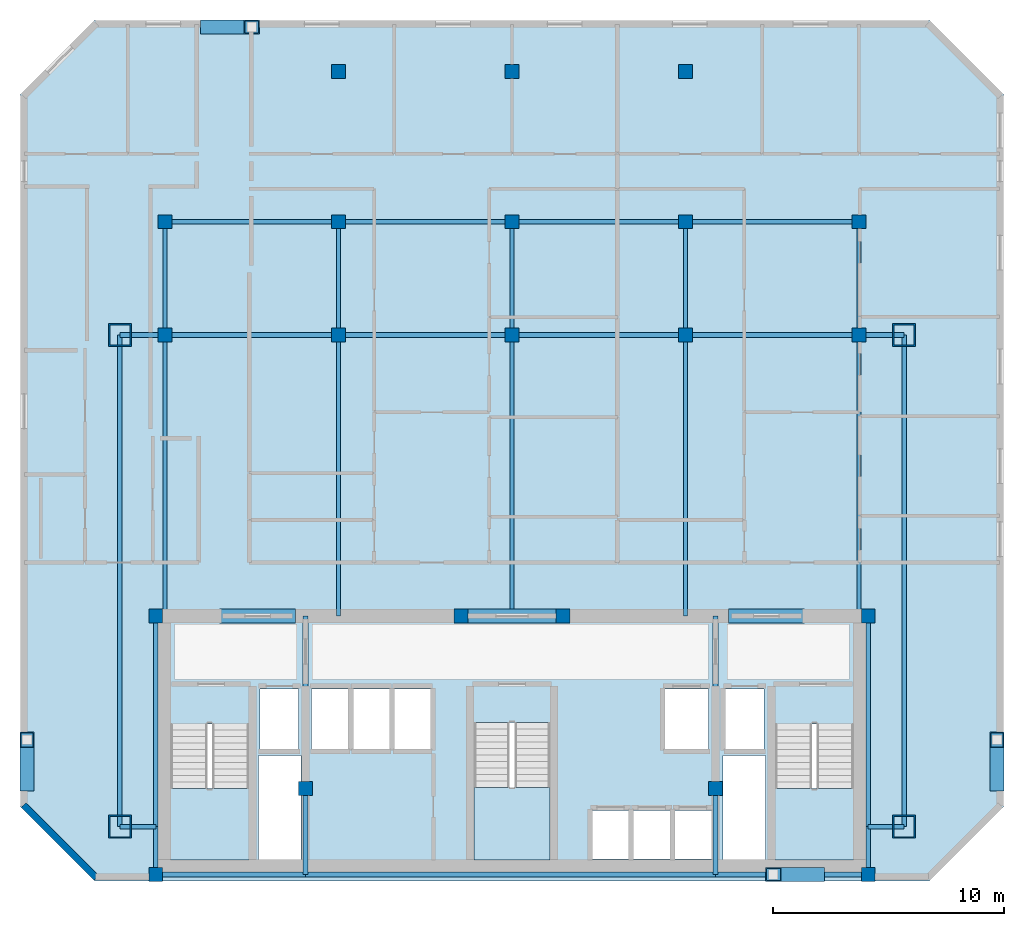
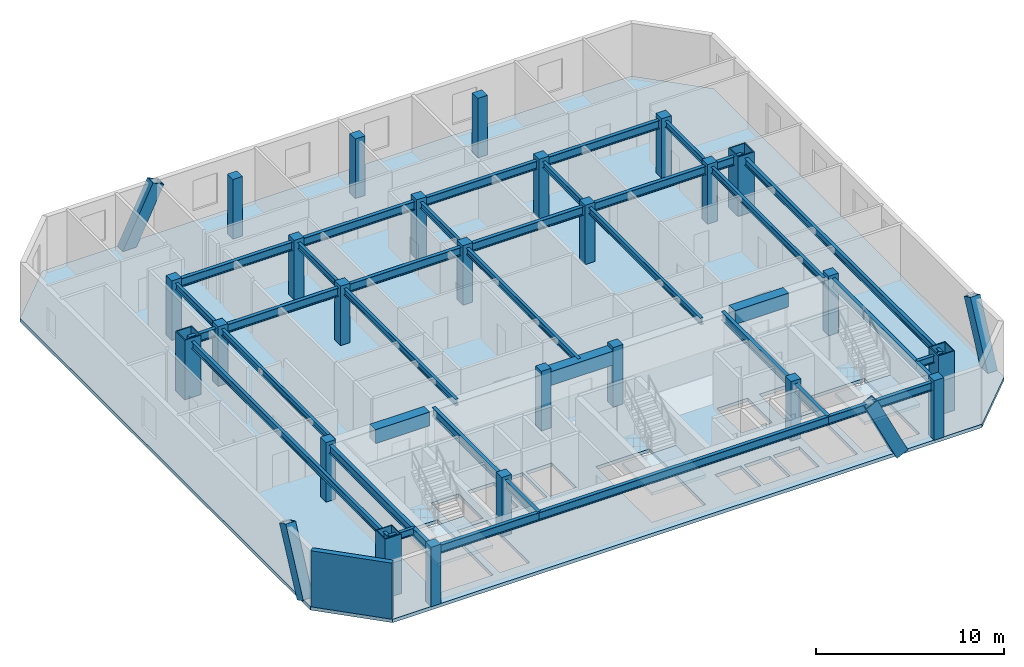
# One storey, part 1 of 7: 38 beams, 25 columns, 4 members, 4 slabs, 1 wall, 3 elements without a shape of their own.
"""IFC4 building model written with IfcOpenShell, lengths in metres."""

from ifc_helpers import new_model, si_unit, direction, frame, frame_2d, origin, origin_2d, place, context, subcontext, project, spatial, polyline, rectangle, hollow_rectangle, i_section, outline, extrude, material, layer, layer_set, material_profile, profile_set, type_object, element, aggregate, save


model = new_model("IFC4")

# Units and contexts
model_context = context("Model", 3, precision=1e-05, world=origin(), true_north=direction((0.0, 1.0)))
body_context = subcontext(model_context, "Body", "Model", "MODEL_VIEW")
ifc_project = project(units=[si_unit("LENGTHUNIT", "METRE"), si_unit("AREAUNIT", "SQUARE_METRE"), si_unit("VOLUMEUNIT", "CUBIC_METRE"), si_unit("PLANEANGLEUNIT", "RADIAN"), si_unit("MASSUNIT", "GRAM", prefix="KILO")], contexts=[model_context])

# Site, building, storey
site_placement = place(None, origin())
site = spatial("IfcSite", under=ifc_project, at=site_placement, CompositionType="ELEMENT")
building_placement = place(site_placement, origin())
building = spatial("IfcBuilding", under=site, at=building_placement, Name="Ventersveld Concourse Tower", CompositionType="ELEMENT")
storey_placement = place(building_placement, frame((0.0, 0.0, 223.39990234375)))
storey = spatial("IfcBuildingStorey", under=building, at=storey_placement, Name="L55", CompositionType="ELEMENT", Elevation=223.39990234375)

# Columns
ifc_material_1 = material(Name="Concrete C50/60", Category="concrete")
ifc_material_profile_1 = material_profile(ifc_material_1, rectangle(XDim=0.60009765625, YDim=0.60009765625, at=origin_2d()), Name="RC 600x600")
ifc_profile_set_1 = profile_set([ifc_material_profile_1], Name="Concrete C50/60")
column_type_1 = type_object("IfcColumnType", Name="COL-RC600", PredefinedType="COLUMN", material=ifc_profile_set_1)
for number, where, z_axis, x_axis, name in (
    (1, (13.35009765625, 0.280029296875, 0.0), (0.0, 0.0, 1.0), (1.0, 0.0, 0.0), "L55 Core Spine Column CC-SW"),
    (2, (44.14990234375, 0.280029296875, 0.0), (0.0, 0.0, 1.0), (1.0, 0.0, 0.0), "L55 Core Spine Column CC-SE"),
    (3, (13.35009765625, 11.449951171875, 0.0), (0.0, 0.0, 1.0), (1.0, 0.0, 0.0), "L55 Core Spine Column CC-NW"),
    (4, (44.14990234375, 11.449951171875, 0.0), (0.0, 0.0, 1.0), (1.0, 0.0, 0.0), "L55 Core Spine Column CC-NE"),
    (5, (19.820068359375, 4.0, 0.0), (0.0, 0.0, 1.0), (1.0, 0.0, 0.0), "L55 Core Spine Column CM-1"),
    (6, (37.550048828125, 4.0, 0.0), (0.0, 0.0, 1.0), (1.0, 0.0, 0.0), "L55 Core Spine Column CM-2"),
    (7, (26.550048828125, 11.449951171875, 0.0), (0.0, 0.0, 1.0), (1.0, 0.0, 0.0), "L55 Core Spine Column CM-3"),
    (8, (30.949951171875, 11.449951171875, 0.0), (0.0, 0.0, 1.0), (1.0, 0.0, 0.0), "L55 Core Spine Column CM-4"),
    (9, (13.75, 23.60009765625, 0.0), (0.0, 0.0, 1.0), (1.0, 0.0, 0.0), "L55 Interior Gravity Column X=13.75 Y=23.60"),
    (10, (21.25, 23.60009765625, 0.0), (0.0, 0.0, 1.0), (1.0, 0.0, 0.0), "L55 Interior Gravity Column X=21.25 Y=23.60"),
    (11, (28.75, 23.60009765625, 0.0), (0.0, 0.0, 1.0), (1.0, 0.0, 0.0), "L55 Interior Gravity Column X=28.75 Y=23.60"),
    (12, (36.25, 23.60009765625, 0.0), (0.0, 0.0, 1.0), (1.0, 0.0, 0.0), "L55 Interior Gravity Column X=36.25 Y=23.60"),
    (13, (43.75, 23.60009765625, 0.0), (0.0, 0.0, 1.0), (1.0, 0.0, 0.0), "L55 Interior Gravity Column X=43.75 Y=23.60"),
    (14, (13.75, 28.5, 0.0), (0.0, 0.0, 1.0), (1.0, 0.0, 0.0), "L55 Upper-North Gravity Column X=13.75 Y=28.50"),
    (15, (21.25, 28.5, 0.0), (0.0, 0.0, 1.0), (1.0, 0.0, 0.0), "L55 Upper-North Gravity Column X=21.25 Y=28.50"),
    (16, (28.75, 28.5, 0.0), (0.0, 0.0, 1.0), (1.0, 0.0, 0.0), "L55 Upper-North Gravity Column X=28.75 Y=28.50"),
    (17, (36.25, 28.5, 0.0), (0.0, 0.0, 1.0), (1.0, 0.0, 0.0), "L55 Upper-North Gravity Column X=36.25 Y=28.50"),
    (18, (43.75, 28.5, 0.0), (0.0, 0.0, 1.0), (1.0, 0.0, 0.0), "L55 Upper-North Gravity Column X=43.75 Y=28.50"),
    (19, (21.25, 35.0, 0.0), (0.0, 0.0, 1.0), (1.0, 0.0, 0.0), "L55 Mid-North Column X=21.25 Y=35.00"),
    (20, (28.75, 35.0, 0.0), (0.0, 0.0, 1.0), (1.0, 0.0, 0.0), "L55 Mid-North Column X=28.75 Y=35.00"),
    (21, (36.25, 35.0, 0.0), (0.0, 0.0, 1.0), (1.0, 0.0, 0.0), "L55 Mid-North Column X=36.25 Y=35.00"),
):
    element("IfcColumn", number, at=place(storey_placement, frame(where, z_axis=z_axis, x_axis=x_axis)), inside=storey, type_object=column_type_1, Name=name, PredefinedType="COLUMN", context=body_context, shape_type="SweptSolid", body=[
        extrude(rectangle(XDim=0.60009765625, YDim=0.60009765625, at=origin_2d()), origin(), (0.0, 0.0, 1.0), 3.85009765625),
    ])
ifc_material_2 = material(Name="Structural steel S460ML", Category="steel")
ifc_material_profile_2 = material_profile(ifc_material_2, hollow_rectangle(XDim=1.0, YDim=1.0, WallThickness=0.06005859375, at=origin_2d()), Name="BOX 1000x1000x60")
ifc_profile_set_2 = profile_set([ifc_material_profile_2], Name="Structural steel S460ML")
column_type_2 = type_object("IfcColumnType", Name="MC-1000", PredefinedType="USERDEFINED", material=ifc_profile_set_2)
for number, where, z_axis, x_axis, name in (
    (22, (11.800048828125, 2.35009765625, 0.0), (0.0, 0.0, 1.0), (1.0, 0.0, 0.0), "L55 Corner Mega-Column MC-SW"),
    (23, (45.699951171875, 2.35009765625, 0.0), (0.0, 0.0, 1.0), (1.0, 0.0, 0.0), "L55 Corner Mega-Column MC-SE"),
    (24, (45.699951171875, 23.60009765625, 0.0), (0.0, 0.0, 1.0), (1.0, 0.0, 0.0), "L55 Corner Mega-Column MC-NE"),
    (25, (11.800048828125, 23.60009765625, 0.0), (0.0, 0.0, 1.0), (1.0, 0.0, 0.0), "L55 Corner Mega-Column MC-NW"),
):
    element("IfcColumn", number, at=place(storey_placement, frame(where, z_axis=z_axis, x_axis=x_axis)), inside=storey, type_object=column_type_2, Name=name, ObjectType="MEGA_COLUMN", PredefinedType="USERDEFINED", context=body_context, shape_type="SweptSolid", body=[
        extrude(hollow_rectangle(XDim=1.0, YDim=1.0, WallThickness=0.06005859375, at=origin_2d()), origin(), (0.0, 0.0, 1.0), 3.85009765625),
    ])

# Beams
ifc_material_3 = material(Name="Structural steel S355J2", Category="steel")
ifc_material_profile_3 = material_profile(ifc_material_3, i_section(OverallWidth=0.177978515625, OverallDepth=0.406494140625, WebThickness=0.0078125, FlangeThickness=0.0126953125, FilletRadius=0.01025390625, at=origin_2d()), Name="UB 406x178x60")
ifc_profile_set_3 = profile_set([ifc_material_profile_3], Name="Structural steel S355J2")
beam_type_1 = type_object("IfcBeamType", Name="BM-UB406", PredefinedType="BEAM", material=ifc_profile_set_3)
beam_1_placement = place(storey_placement, frame((13.75, 11.449951171875, 3.427001953125), z_axis=(0.0, 1.0, 0.0), x_axis=(-1.0, 0.0, 0.0)))
element("IfcBeam", 26, at=beam_1_placement, inside=storey, type_object=beam_type_1, Name="L55 N-S Composite Floor Beam South X=13.75", PredefinedType="BEAM", context=body_context, shape_type="SweptSolid", body=[
    extrude(i_section(OverallWidth=0.177978515625, OverallDepth=0.406494140625, WebThickness=0.0078125, FlangeThickness=0.0126953125, FilletRadius=0.01025390625, at=origin_2d()), origin(), (0.0, 0.0, 1.0), 12.150146484375),
])
beam_2_placement = place(storey_placement, frame((13.75, 23.60009765625, 3.427001953125), z_axis=(0.0, 1.0, 0.0), x_axis=(-1.0, 0.0, 0.0)))
element("IfcBeam", 27, at=beam_2_placement, inside=storey, type_object=beam_type_1, Name="L55 N-S Upper-Zone Floor Beam X=13.75", PredefinedType="BEAM", context=body_context, shape_type="SweptSolid", body=[
    extrude(i_section(OverallWidth=0.177978515625, OverallDepth=0.406494140625, WebThickness=0.0078125, FlangeThickness=0.0126953125, FilletRadius=0.01025390625, at=origin_2d()), origin(), (0.0, 0.0, 1.0), 4.89990234375),
])
beam_3_placement = place(storey_placement, frame((21.25, 11.449951171875, 3.427001953125), z_axis=(0.0, 1.0, 0.0), x_axis=(-1.0, 0.0, 0.0)))
element("IfcBeam", 28, at=beam_3_placement, inside=storey, type_object=beam_type_1, Name="L55 N-S Composite Floor Beam South X=21.25", PredefinedType="BEAM", context=body_context, shape_type="SweptSolid", body=[
    extrude(i_section(OverallWidth=0.177978515625, OverallDepth=0.406494140625, WebThickness=0.0078125, FlangeThickness=0.0126953125, FilletRadius=0.01025390625, at=origin_2d()), origin(), (0.0, 0.0, 1.0), 12.150146484375),
])
beam_4_placement = place(storey_placement, frame((21.25, 23.60009765625, 3.427001953125), z_axis=(0.0, 1.0, 0.0), x_axis=(-1.0, 0.0, 0.0)))
element("IfcBeam", 29, at=beam_4_placement, inside=storey, type_object=beam_type_1, Name="L55 N-S Upper-Zone Floor Beam X=21.25", PredefinedType="BEAM", context=body_context, shape_type="SweptSolid", body=[
    extrude(i_section(OverallWidth=0.177978515625, OverallDepth=0.406494140625, WebThickness=0.0078125, FlangeThickness=0.0126953125, FilletRadius=0.01025390625, at=origin_2d()), origin(), (0.0, 0.0, 1.0), 4.89990234375),
])
beam_5_placement = place(storey_placement, frame((28.75, 11.449951171875, 3.427001953125), z_axis=(0.0, 1.0, 0.0), x_axis=(-1.0, 0.0, 0.0)))
element("IfcBeam", 30, at=beam_5_placement, inside=storey, type_object=beam_type_1, Name="L55 N-S Composite Floor Beam South X=28.75", PredefinedType="BEAM", context=body_context, shape_type="SweptSolid", body=[
    extrude(i_section(OverallWidth=0.177978515625, OverallDepth=0.406494140625, WebThickness=0.0078125, FlangeThickness=0.0126953125, FilletRadius=0.01025390625, at=origin_2d()), origin(), (0.0, 0.0, 1.0), 12.150146484375),
])
beam_6_placement = place(storey_placement, frame((28.75, 23.60009765625, 3.427001953125), z_axis=(0.0, 1.0, 0.0), x_axis=(-1.0, 0.0, 0.0)))
element("IfcBeam", 31, at=beam_6_placement, inside=storey, type_object=beam_type_1, Name="L55 N-S Upper-Zone Floor Beam X=28.75", PredefinedType="BEAM", context=body_context, shape_type="SweptSolid", body=[
    extrude(i_section(OverallWidth=0.177978515625, OverallDepth=0.406494140625, WebThickness=0.0078125, FlangeThickness=0.0126953125, FilletRadius=0.01025390625, at=origin_2d()), origin(), (0.0, 0.0, 1.0), 4.89990234375),
])
beam_7_placement = place(storey_placement, frame((36.25, 11.449951171875, 3.427001953125), z_axis=(0.0, 1.0, 0.0), x_axis=(-1.0, 0.0, 0.0)))
element("IfcBeam", 32, at=beam_7_placement, inside=storey, type_object=beam_type_1, Name="L55 N-S Composite Floor Beam South X=36.25", PredefinedType="BEAM", context=body_context, shape_type="SweptSolid", body=[
    extrude(i_section(OverallWidth=0.177978515625, OverallDepth=0.406494140625, WebThickness=0.0078125, FlangeThickness=0.0126953125, FilletRadius=0.01025390625, at=origin_2d()), origin(), (0.0, 0.0, 1.0), 12.150146484375),
])
beam_8_placement = place(storey_placement, frame((36.25, 23.60009765625, 3.427001953125), z_axis=(0.0, 1.0, 0.0), x_axis=(-1.0, 0.0, 0.0)))
element("IfcBeam", 33, at=beam_8_placement, inside=storey, type_object=beam_type_1, Name="L55 N-S Upper-Zone Floor Beam X=36.25", PredefinedType="BEAM", context=body_context, shape_type="SweptSolid", body=[
    extrude(i_section(OverallWidth=0.177978515625, OverallDepth=0.406494140625, WebThickness=0.0078125, FlangeThickness=0.0126953125, FilletRadius=0.01025390625, at=origin_2d()), origin(), (0.0, 0.0, 1.0), 4.89990234375),
])
beam_9_placement = place(storey_placement, frame((43.75, 11.449951171875, 3.427001953125), z_axis=(0.0, 1.0, 0.0), x_axis=(-1.0, 0.0, 0.0)))
element("IfcBeam", 34, at=beam_9_placement, inside=storey, type_object=beam_type_1, Name="L55 N-S Composite Floor Beam South X=43.75", PredefinedType="BEAM", context=body_context, shape_type="SweptSolid", body=[
    extrude(i_section(OverallWidth=0.177978515625, OverallDepth=0.406494140625, WebThickness=0.0078125, FlangeThickness=0.0126953125, FilletRadius=0.01025390625, at=origin_2d()), origin(), (0.0, 0.0, 1.0), 12.150146484375),
])
beam_10_placement = place(storey_placement, frame((43.75, 23.60009765625, 3.427001953125), z_axis=(0.0, 1.0, 0.0), x_axis=(-1.0, 0.0, 0.0)))
element("IfcBeam", 35, at=beam_10_placement, inside=storey, type_object=beam_type_1, Name="L55 N-S Upper-Zone Floor Beam X=43.75", PredefinedType="BEAM", context=body_context, shape_type="SweptSolid", body=[
    extrude(i_section(OverallWidth=0.177978515625, OverallDepth=0.406494140625, WebThickness=0.0078125, FlangeThickness=0.0126953125, FilletRadius=0.01025390625, at=origin_2d()), origin(), (0.0, 0.0, 1.0), 4.89990234375),
])
ifc_material_profile_4 = material_profile(ifc_material_1, rectangle(XDim=0.60009765625, YDim=0.89990234375, at=origin_2d()), Name="RC 600x900")
ifc_profile_set_4 = profile_set([ifc_material_profile_4], Name="Concrete C50/60")
beam_type_2 = type_object("IfcBeamType", Name="CB-RC600x900U", PredefinedType="LINTEL", material=ifc_profile_set_4)
beam_11_placement = place(storey_placement, frame((16.10009765625, 11.449951171875, 3.18017578125), z_axis=(1.0, 0.0, 0.0), x_axis=(0.0, 1.0, 0.0)))
element("IfcBeam", 36, at=beam_11_placement, inside=storey, type_object=beam_type_2, Name="L55 Core Coupling Lintel Beam 1", PredefinedType="LINTEL", context=body_context, shape_type="SweptSolid", body=[
    extrude(rectangle(XDim=0.60009765625, YDim=0.89990234375, at=origin_2d()), origin(), (0.0, 0.0, 1.0), 3.2998046875),
])
beam_12_placement = place(storey_placement, frame((26.5, 11.449951171875, 3.18017578125), z_axis=(1.0, 0.0, 0.0), x_axis=(0.0, 1.0, 0.0)))
element("IfcBeam", 37, at=beam_12_placement, inside=storey, type_object=beam_type_2, Name="L55 Core Coupling Lintel Beam 2", PredefinedType="LINTEL", context=body_context, shape_type="SweptSolid", body=[
    extrude(rectangle(XDim=0.60009765625, YDim=0.89990234375, at=origin_2d()), origin(), (0.0, 0.0, 1.0), 4.5),
])
beam_13_placement = place(storey_placement, frame((38.10009765625, 11.449951171875, 3.18017578125), z_axis=(1.0, 0.0, 0.0), x_axis=(0.0, 1.0, 0.0)))
element("IfcBeam", 38, at=beam_13_placement, inside=storey, type_object=beam_type_2, Name="L55 Core Coupling Lintel Beam 3", PredefinedType="LINTEL", context=body_context, shape_type="SweptSolid", body=[
    extrude(rectangle(XDim=0.60009765625, YDim=0.89990234375, at=origin_2d()), origin(), (0.0, 0.0, 1.0), 3.2998046875),
])
ifc_material_profile_5 = material_profile(ifc_material_3, i_section(OverallWidth=0.2119140625, OverallDepth=0.54443359375, WebThickness=0.0126953125, FlangeThickness=0.021240234375, FilletRadius=0.0126953125, at=origin_2d()), Name="UB 533x210x122")
ifc_profile_set_5 = profile_set([ifc_material_profile_5], Name="Structural steel S355J2")
beam_type_3 = type_object("IfcBeamType", Name="GRD-UB533H", PredefinedType="T_BEAM", material=ifc_profile_set_5)
beam_14_placement = place(storey_placement, frame((13.35009765625, 0.280029296875, 3.35791015625), z_axis=(0.0, 1.0, 0.0), x_axis=(-1.0, 0.0, 0.0)))
element("IfcBeam", 39, at=beam_14_placement, inside=storey, type_object=beam_type_3, Name="L55 Core West Tie Beam S", PredefinedType="T_BEAM", context=body_context, shape_type="SweptSolid", body=[
    extrude(i_section(OverallWidth=0.2119140625, OverallDepth=0.54443359375, WebThickness=0.0126953125, FlangeThickness=0.021240234375, FilletRadius=0.0126953125, at=origin_2d()), origin(), (0.0, 0.0, 1.0), 2.070068359375),
])
beam_15_placement = place(storey_placement, frame((13.35009765625, 2.35009765625, 3.35791015625), z_axis=(0.0, 1.0, 0.0), x_axis=(-1.0, 0.0, 0.0)))
element("IfcBeam", 40, at=beam_15_placement, inside=storey, type_object=beam_type_3, Name="L55 Core West Tie Beam N", PredefinedType="T_BEAM", context=body_context, shape_type="SweptSolid", body=[
    extrude(i_section(OverallWidth=0.2119140625, OverallDepth=0.54443359375, WebThickness=0.0126953125, FlangeThickness=0.021240234375, FilletRadius=0.0126953125, at=origin_2d()), origin(), (0.0, 0.0, 1.0), 9.099853515625),
])
beam_16_placement = place(storey_placement, frame((44.14990234375, 0.280029296875, 3.35791015625), z_axis=(0.0, 1.0, 0.0), x_axis=(-1.0, 0.0, 0.0)))
element("IfcBeam", 41, at=beam_16_placement, inside=storey, type_object=beam_type_3, Name="L55 Core East Tie Beam S", PredefinedType="T_BEAM", context=body_context, shape_type="SweptSolid", body=[
    extrude(i_section(OverallWidth=0.2119140625, OverallDepth=0.54443359375, WebThickness=0.0126953125, FlangeThickness=0.021240234375, FilletRadius=0.0126953125, at=origin_2d()), origin(), (0.0, 0.0, 1.0), 2.070068359375),
])
beam_17_placement = place(storey_placement, frame((44.14990234375, 2.35009765625, 3.35791015625), z_axis=(0.0, 1.0, 0.0), x_axis=(-1.0, 0.0, 0.0)))
element("IfcBeam", 42, at=beam_17_placement, inside=storey, type_object=beam_type_3, Name="L55 Core East Tie Beam N", PredefinedType="T_BEAM", context=body_context, shape_type="SweptSolid", body=[
    extrude(i_section(OverallWidth=0.2119140625, OverallDepth=0.54443359375, WebThickness=0.0126953125, FlangeThickness=0.021240234375, FilletRadius=0.0126953125, at=origin_2d()), origin(), (0.0, 0.0, 1.0), 9.099853515625),
])
beam_18_placement = place(storey_placement, frame((13.35009765625, 0.280029296875, 3.35791015625), z_axis=(1.0, 0.0, 0.0), x_axis=(0.0, 1.0, 0.0)))
element("IfcBeam", 43, at=beam_18_placement, inside=storey, type_object=beam_type_3, Name="L55 Core South Tie Beam W", PredefinedType="T_BEAM", context=body_context, shape_type="SweptSolid", body=[
    extrude(i_section(OverallWidth=0.2119140625, OverallDepth=0.54443359375, WebThickness=0.0126953125, FlangeThickness=0.021240234375, FilletRadius=0.0126953125, at=origin_2d()), origin(), (0.0, 0.0, 1.0), 6.469970703125),
])
beam_19_placement = place(storey_placement, frame((19.820068359375, 0.280029296875, 3.35791015625), z_axis=(1.0, 0.0, 0.0), x_axis=(0.0, 1.0, 0.0)))
element("IfcBeam", 44, at=beam_19_placement, inside=storey, type_object=beam_type_3, Name="L55 Core South Tie Beam C", PredefinedType="T_BEAM", context=body_context, shape_type="SweptSolid", body=[
    extrude(i_section(OverallWidth=0.2119140625, OverallDepth=0.54443359375, WebThickness=0.0126953125, FlangeThickness=0.021240234375, FilletRadius=0.0126953125, at=origin_2d()), origin(), (0.0, 0.0, 1.0), 17.72998046875),
])
beam_20_placement = place(storey_placement, frame((37.550048828125, 0.280029296875, 3.35791015625), z_axis=(1.0, 0.0, 0.0), x_axis=(0.0, 1.0, 0.0)))
element("IfcBeam", 45, at=beam_20_placement, inside=storey, type_object=beam_type_3, Name="L55 Core South Tie Beam E", PredefinedType="T_BEAM", context=body_context, shape_type="SweptSolid", body=[
    extrude(i_section(OverallWidth=0.2119140625, OverallDepth=0.54443359375, WebThickness=0.0126953125, FlangeThickness=0.021240234375, FilletRadius=0.0126953125, at=origin_2d()), origin(), (0.0, 0.0, 1.0), 6.599853515625),
])
beam_21_placement = place(storey_placement, frame((19.820068359375, 0.280029296875, 3.35791015625), z_axis=(0.0, 1.0, 0.0), x_axis=(-1.0, 0.0, 0.0)))
element("IfcBeam", 46, at=beam_21_placement, inside=storey, type_object=beam_type_3, Name="L55 Core Spine N-S Tie Beam W1", PredefinedType="T_BEAM", context=body_context, shape_type="SweptSolid", body=[
    extrude(i_section(OverallWidth=0.2119140625, OverallDepth=0.54443359375, WebThickness=0.0126953125, FlangeThickness=0.021240234375, FilletRadius=0.0126953125, at=origin_2d()), origin(), (0.0, 0.0, 1.0), 3.719970703125),
])
beam_22_placement = place(storey_placement, frame((19.820068359375, 4.0, 3.35791015625), z_axis=(0.0, 1.0, 0.0), x_axis=(-1.0, 0.0, 0.0)))
element("IfcBeam", 47, at=beam_22_placement, inside=storey, type_object=beam_type_3, Name="L55 Core Spine N-S Tie Beam W2", PredefinedType="T_BEAM", context=body_context, shape_type="SweptSolid", body=[
    extrude(i_section(OverallWidth=0.2119140625, OverallDepth=0.54443359375, WebThickness=0.0126953125, FlangeThickness=0.021240234375, FilletRadius=0.0126953125, at=origin_2d()), origin(), (0.0, 0.0, 1.0), 7.449951171875),
])
beam_23_placement = place(storey_placement, frame((37.550048828125, 0.280029296875, 3.35791015625), z_axis=(0.0, 1.0, 0.0), x_axis=(-1.0, 0.0, 0.0)))
element("IfcBeam", 48, at=beam_23_placement, inside=storey, type_object=beam_type_3, Name="L55 Core Spine N-S Tie Beam E1", PredefinedType="T_BEAM", context=body_context, shape_type="SweptSolid", body=[
    extrude(i_section(OverallWidth=0.2119140625, OverallDepth=0.54443359375, WebThickness=0.0126953125, FlangeThickness=0.021240234375, FilletRadius=0.0126953125, at=origin_2d()), origin(), (0.0, 0.0, 1.0), 3.719970703125),
])
beam_24_placement = place(storey_placement, frame((37.550048828125, 4.0, 3.35791015625), z_axis=(0.0, 1.0, 0.0), x_axis=(-1.0, 0.0, 0.0)))
element("IfcBeam", 49, at=beam_24_placement, inside=storey, type_object=beam_type_3, Name="L55 Core Spine N-S Tie Beam E2", PredefinedType="T_BEAM", context=body_context, shape_type="SweptSolid", body=[
    extrude(i_section(OverallWidth=0.2119140625, OverallDepth=0.54443359375, WebThickness=0.0126953125, FlangeThickness=0.021240234375, FilletRadius=0.0126953125, at=origin_2d()), origin(), (0.0, 0.0, 1.0), 7.449951171875),
])
beam_25_placement = place(storey_placement, frame((11.800048828125, 23.60009765625, 3.35791015625), z_axis=(1.0, 0.0, 0.0), x_axis=(0.0, 1.0, 0.0)))
element("IfcBeam", 50, at=beam_25_placement, inside=storey, type_object=beam_type_3, Name="L55 Primary E-W Grid Girder Y=23.60 #1", PredefinedType="T_BEAM", context=body_context, shape_type="SweptSolid", body=[
    extrude(i_section(OverallWidth=0.2119140625, OverallDepth=0.54443359375, WebThickness=0.0126953125, FlangeThickness=0.021240234375, FilletRadius=0.0126953125, at=origin_2d()), origin(), (0.0, 0.0, 1.0), 1.949951171875),
])
for number, where, z_axis, x_axis, name in (
    (51, (13.75, 23.60009765625, 3.35791015625), (1.0, 0.0, 0.0), (0.0, 1.0, 0.0), "L55 Primary E-W Grid Girder Y=23.60 #2"),
    (52, (21.25, 23.60009765625, 3.35791015625), (1.0, 0.0, 0.0), (0.0, 1.0, 0.0), "L55 Primary E-W Grid Girder Y=23.60 #3"),
    (53, (28.75, 23.60009765625, 3.35791015625), (1.0, 0.0, 0.0), (0.0, 1.0, 0.0), "L55 Primary E-W Grid Girder Y=23.60 #4"),
    (54, (36.25, 23.60009765625, 3.35791015625), (1.0, 0.0, 0.0), (0.0, 1.0, 0.0), "L55 Primary E-W Grid Girder Y=23.60 #5"),
):
    element("IfcBeam", number, at=place(storey_placement, frame(where, z_axis=z_axis, x_axis=x_axis)), inside=storey, type_object=beam_type_3, Name=name, PredefinedType="T_BEAM", context=body_context, shape_type="SweptSolid", body=[
        extrude(i_section(OverallWidth=0.2119140625, OverallDepth=0.54443359375, WebThickness=0.0126953125, FlangeThickness=0.021240234375, FilletRadius=0.0126953125, at=origin_2d()), origin(), (0.0, 0.0, 1.0), 7.5),
    ])
beam_26_placement = place(storey_placement, frame((43.75, 23.60009765625, 3.35791015625), z_axis=(1.0, 0.0, 0.0), x_axis=(0.0, 1.0, 0.0)))
element("IfcBeam", 55, at=beam_26_placement, inside=storey, type_object=beam_type_3, Name="L55 Primary E-W Grid Girder Y=23.60 #6", PredefinedType="T_BEAM", context=body_context, shape_type="SweptSolid", body=[
    extrude(i_section(OverallWidth=0.2119140625, OverallDepth=0.54443359375, WebThickness=0.0126953125, FlangeThickness=0.021240234375, FilletRadius=0.0126953125, at=origin_2d()), origin(), (0.0, 0.0, 1.0), 1.949951171875),
])
for number, where, z_axis, x_axis, name in (
    (56, (13.75, 28.5, 3.35791015625), (1.0, 0.0, 0.0), (0.0, 1.0, 0.0), "L55 Upper-North E-W Girder Y=28.50 #1"),
    (57, (21.25, 28.5, 3.35791015625), (1.0, 0.0, 0.0), (0.0, 1.0, 0.0), "L55 Upper-North E-W Girder Y=28.50 #2"),
    (58, (28.75, 28.5, 3.35791015625), (1.0, 0.0, 0.0), (0.0, 1.0, 0.0), "L55 Upper-North E-W Girder Y=28.50 #3"),
    (59, (36.25, 28.5, 3.35791015625), (1.0, 0.0, 0.0), (0.0, 1.0, 0.0), "L55 Upper-North E-W Girder Y=28.50 #4"),
):
    element("IfcBeam", number, at=place(storey_placement, frame(where, z_axis=z_axis, x_axis=x_axis)), inside=storey, type_object=beam_type_3, Name=name, PredefinedType="T_BEAM", context=body_context, shape_type="SweptSolid", body=[
        extrude(i_section(OverallWidth=0.2119140625, OverallDepth=0.54443359375, WebThickness=0.0126953125, FlangeThickness=0.021240234375, FilletRadius=0.0126953125, at=origin_2d()), origin(), (0.0, 0.0, 1.0), 7.5),
    ])

# Members
ifc_material_4 = material(Name="Structural steel S355ML", Category="steel")
ifc_material_profile_6 = material_profile(ifc_material_4, hollow_rectangle(XDim=0.60009765625, YDim=0.75, WallThickness=0.0400390625, at=origin_2d()), Name="BOX 750x600x40")
ifc_profile_set_6 = profile_set([ifc_material_profile_6], Name="Structural steel S355ML")
member_type = type_object("IfcMemberType", Name="MB-750x600", PredefinedType="BRACE", material=ifc_profile_set_6)
for number, where, z_axis, x_axis, name in (
    (60, (15.625, 36.919921875, -0.219970703125), (0.437839464193, 0.0, 0.899053170616), (0.0, 1.0, 0.0), "L55 Exterior Mega-Brace N (Module M13)"),
    (61, (41.925048828125, 0.280029296875, -0.219970703125), (-0.437839464193, 0.0, 0.899053170616), (0.0, -1.0, 0.0), "L55 Exterior Mega-Brace S (Module M13)"),
    (62, (7.780029296875, 4.22509765625, -0.219970703125), (0.0, 0.437839464193, 0.899053170616), (-1.0, 0.0, 0.0), "L55 Exterior Mega-Brace W (Module M13)"),
    (63, (49.719970703125, 4.22509765625, -0.219970703125), (0.0, 0.437839464193, 0.899053170616), (-1.0, 0.0, 0.0), "L55 Exterior Mega-Brace E (Module M13)"),
):
    element("IfcMember", number, at=place(storey_placement, frame(where, z_axis=z_axis, x_axis=x_axis)), inside=storey, type_object=member_type, Name=name, PredefinedType="BRACE", context=body_context, shape_type="SweptSolid", body=[
        extrude(hollow_rectangle(XDim=0.60009765625, YDim=0.75, WallThickness=0.0400390625, at=origin_2d()), origin(), (0.0, 0.0, 1.0), 4.282470703125),
    ])

# Beams
ifc_material_profile_7 = material_profile(ifc_material_3, i_section(OverallWidth=0.19140625, OverallDepth=0.4599609375, WebThickness=0.010009765625, FlangeThickness=0.01611328125, FilletRadius=0.01025390625, at=origin_2d()), Name="UB 457x191x82")
ifc_profile_set_7 = profile_set([ifc_material_profile_7], Name="Structural steel S355J2")
beam_type_4 = type_object("IfcBeamType", Name="SPD-UB457", PredefinedType="SPANDREL", material=ifc_profile_set_7)
for number, where, z_axis, x_axis, name in (
    (64, (11.800048828125, 2.35009765625, 3.400146484375), (1.0, 0.0, 0.0), (0.0, 1.0, 0.0), "L55 SW Spandrel Beam"),
    (65, (44.14990234375, 2.35009765625, 3.400146484375), (1.0, 0.0, 0.0), (0.0, 1.0, 0.0), "L55 SE Spandrel Beam"),
):
    element("IfcBeam", number, at=place(storey_placement, frame(where, z_axis=z_axis, x_axis=x_axis)), inside=storey, type_object=beam_type_4, Name=name, PredefinedType="SPANDREL", context=body_context, shape_type="SweptSolid", body=[
        extrude(i_section(OverallWidth=0.19140625, OverallDepth=0.4599609375, WebThickness=0.010009765625, FlangeThickness=0.01611328125, FilletRadius=0.01025390625, at=origin_2d()), origin(), (0.0, 0.0, 1.0), 1.550048828125),
    ])
for number, where, z_axis, x_axis, name in (
    (66, (11.800048828125, 2.35009765625, 3.400146484375), (0.0, 1.0, 0.0), (-1.0, 0.0, 0.0), "L55 West Spandrel Beam"),
    (67, (45.699951171875, 2.35009765625, 3.400146484375), (0.0, 1.0, 0.0), (-1.0, 0.0, 0.0), "L55 East Spandrel Beam"),
):
    element("IfcBeam", number, at=place(storey_placement, frame(where, z_axis=z_axis, x_axis=x_axis)), inside=storey, type_object=beam_type_4, Name=name, PredefinedType="SPANDREL", context=body_context, shape_type="SweptSolid", body=[
        extrude(i_section(OverallWidth=0.19140625, OverallDepth=0.4599609375, WebThickness=0.010009765625, FlangeThickness=0.01611328125, FilletRadius=0.01025390625, at=origin_2d()), origin(), (0.0, 0.0, 1.0), 21.25),
    ])

# Slab
ifc_layer_1 = layer(ifc_material_1, 0.219970703125)
ifc_layer_set_1 = layer_set([ifc_layer_1], Name="Concrete C50/60")
slab_type_1 = type_object("IfcSlabType", Name="SL-FLR-220", PredefinedType="FLOOR", material=ifc_layer_set_1)
slab_1_placement = place(storey_placement, frame((0.0, 0.0, -0.219970703125)))
element("IfcSlab", 68, at=slab_1_placement, inside=storey, type_object=slab_type_1, Name="L55 Composite Floor Slab", PredefinedType="FLOOR", context=body_context, shape_type="SweptSolid", body=[
    extrude(outline(polyline([(10.699951171875, 0.0), (46.800048828125, 0.0), (50.0, 3.199951171875), (50.0, 34.0), (46.800048828125, 37.199951171875), (10.699951171875, 37.199951171875), (7.5, 34.0), (7.5, 3.199951171875), (10.699951171875, 0.0)]), holes=[polyline([(13.97998046875, 6.794921875), (13.97998046875, 0.89990234375), (17.3798828125, 0.89990234375), (17.3798828125, 6.794921875), (13.97998046875, 6.794921875)]), polyline([(40.1201171875, 6.794921875), (40.1201171875, 0.89990234375), (43.52001953125, 0.89990234375), (43.52001953125, 6.794921875), (40.1201171875, 6.794921875)]), polyline([(27.10009765625, 6.844970703125), (27.10009765625, 0.89990234375), (30.39990234375, 0.89990234375), (30.39990234375, 6.844970703125), (27.10009765625, 6.844970703125)]), polyline([(17.85009765625, 5.699951171875), (19.530029296875, 5.699951171875), (19.530029296875, 8.300048828125), (17.85009765625, 8.300048828125), (17.85009765625, 5.699951171875)]), polyline([(37.969970703125, 5.699951171875), (39.64990234375, 5.699951171875), (39.64990234375, 8.300048828125), (37.969970703125, 8.300048828125), (37.969970703125, 5.699951171875)]), polyline([(35.35009765625, 5.699951171875), (37.25, 5.699951171875), (37.25, 8.300048828125), (35.35009765625, 8.300048828125), (35.35009765625, 5.699951171875)]), polyline([(32.2099609375, 0.949951171875), (33.81005859375, 0.949951171875), (33.81005859375, 3.050048828125), (32.2099609375, 3.050048828125), (32.2099609375, 0.949951171875)]), polyline([(33.989990234375, 0.949951171875), (35.590087890625, 0.949951171875), (35.590087890625, 3.050048828125), (33.989990234375, 3.050048828125), (33.989990234375, 0.949951171875)]), polyline([(35.77001953125, 0.949951171875), (37.3701171875, 0.949951171875), (37.3701171875, 3.050048828125), (35.77001953125, 3.050048828125), (35.77001953125, 0.949951171875)]), polyline([(20.090087890625, 5.699951171875), (21.68994140625, 5.699951171875), (21.68994140625, 8.300048828125), (20.090087890625, 8.300048828125), (20.090087890625, 5.699951171875)]), polyline([(21.8701171875, 5.699951171875), (23.469970703125, 5.699951171875), (23.469970703125, 8.300048828125), (21.8701171875, 8.300048828125), (21.8701171875, 5.699951171875)]), polyline([(23.64990234375, 5.699951171875), (25.25, 5.699951171875), (25.25, 8.300048828125), (23.64990234375, 8.300048828125), (23.64990234375, 5.699951171875)]), polyline([(17.780029296875, 0.919921875), (19.6201171875, 0.919921875), (19.6201171875, 5.419921875), (17.780029296875, 5.419921875), (17.780029296875, 0.919921875)]), polyline([(37.8798828125, 0.919921875), (39.719970703125, 0.919921875), (39.719970703125, 5.419921875), (37.8798828125, 5.419921875), (37.8798828125, 0.919921875)])]), origin(), (0.0, 0.0, 1.0), 0.219970703125),
])

# Stair, slab
stair_type_1 = type_object("IfcStairType", Name="ST-DOG-160", PredefinedType="HALF_TURN_STAIR", material=ifc_material_1)
stair_1_placement = place(storey_placement, origin())
stair_1 = element("IfcStair", 69, at=stair_1_placement, inside=storey, type_object=stair_type_1, Name="L55 Protected Tower Escape Stair ST-01", PredefinedType="HALF_TURN_STAIR")
ifc_layer_2 = layer(ifc_material_1, 0.199951171875)
ifc_layer_set_2 = layer_set([ifc_layer_2], Name="Concrete C50/60")
slab_type_2 = type_object("IfcSlabType", Name="SL-LND-200", PredefinedType="LANDING", material=ifc_layer_set_2)
slab_2_placement = place(storey_placement, frame((0.0, 0.0, 1.72509765625)))
slab_2 = element("IfcSlab", 70, at=slab_2_placement, type_object=slab_type_2, Name="ST-01 landing 1", PredefinedType="LANDING", context=body_context, shape_type="SweptSolid", body=[
    extrude(outline(polyline([(13.97998046875, 4.0), (13.97998046875, 0.89990234375), (17.3798828125, 0.89990234375), (17.3798828125, 4.0), (13.97998046875, 4.0)])), origin(), (0.0, 0.0, 1.0), 0.199951171875),
])
aggregate(stair_1, [slab_2])

stair_2_placement = place(storey_placement, origin())
stair_2 = element("IfcStair", 71, at=stair_2_placement, inside=storey, type_object=stair_type_1, Name="L55 Protected Tower Escape Stair ST-02", PredefinedType="HALF_TURN_STAIR")
slab_3_placement = place(storey_placement, frame((0.0, 0.0, 1.72509765625)))
slab_3 = element("IfcSlab", 72, at=slab_3_placement, type_object=slab_type_2, Name="ST-02 landing 1", PredefinedType="LANDING", context=body_context, shape_type="SweptSolid", body=[
    extrude(outline(polyline([(40.1201171875, 4.0), (40.1201171875, 0.89990234375), (43.52001953125, 0.89990234375), (43.52001953125, 4.0), (40.1201171875, 4.0)])), origin(), (0.0, 0.0, 1.0), 0.199951171875),
])
aggregate(stair_2, [slab_3])

stair_type_2 = type_object("IfcStairType", Name="ST-DOG-155", PredefinedType="HALF_TURN_STAIR", material=ifc_material_1)
stair_3_placement = place(storey_placement, origin())
stair_3 = element("IfcStair", 73, at=stair_3_placement, inside=storey, type_object=stair_type_2, Name="L55 Protected Central Core Escape Stair ST-03", PredefinedType="HALF_TURN_STAIR")
slab_4_placement = place(storey_placement, frame((0.0, 0.0, 1.72509765625)))
slab_4 = element("IfcSlab", 74, at=slab_4_placement, type_object=slab_type_2, Name="ST-03 landing 1", PredefinedType="LANDING", context=body_context, shape_type="SweptSolid", body=[
    extrude(outline(polyline([(27.10009765625, 4.050048828125), (27.10009765625, 0.89990234375), (30.39990234375, 0.89990234375), (30.39990234375, 4.050048828125), (27.10009765625, 4.050048828125)])), origin(), (0.0, 0.0, 1.0), 0.199951171875),
])
aggregate(stair_3, [slab_4])

# Wall
ifc_material_5 = material(Name="Precast concrete C45/55", Category="concrete")
ifc_layer_3 = layer(ifc_material_5, 0.300048828125)
ifc_layer_set_3 = layer_set([ifc_layer_3], Name="Precast concrete C45/55")
wall_type = type_object("IfcWallType", Name="WL-PREC-300", PredefinedType="SOLIDWALL", material=ifc_layer_set_3)
wall_placement = place(storey_placement, frame((7.634521484375, 3.27783203125, 0.0), z_axis=(0.0, 0.0, 1.0), x_axis=(0.707106781187, -0.707106781187, 0.0)))
element("IfcWall", 75, at=wall_placement, inside=storey, type_object=wall_type, Name="L55 Highveld Precast Facade Wall E08", PredefinedType="SOLIDWALL", context=body_context, shape_type="SweptSolid", body=[
    extrude(rectangle(XDim=4.4453125, YDim=0.300048828125, at=frame_2d((2.22265625, 0.0))), origin(), (0.0, 0.0, 1.0), 3.630126953125),
])

save(model, "model.ifc")
